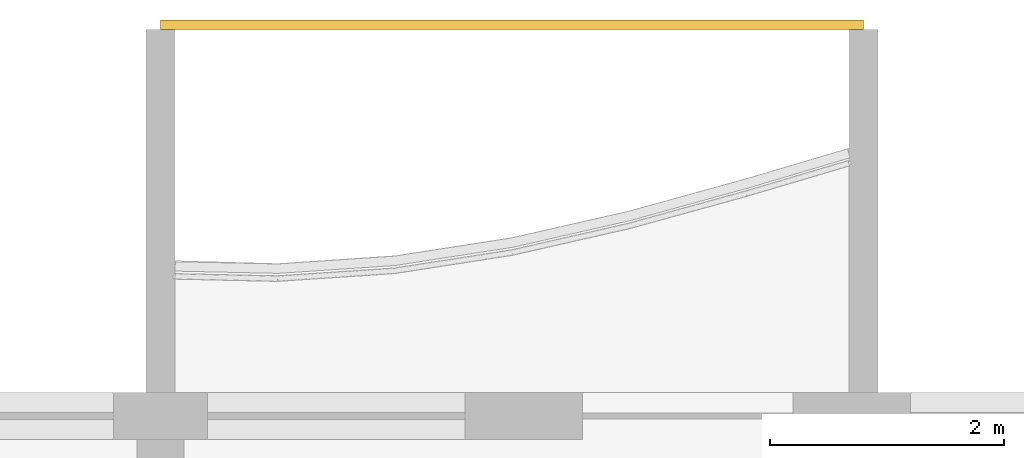
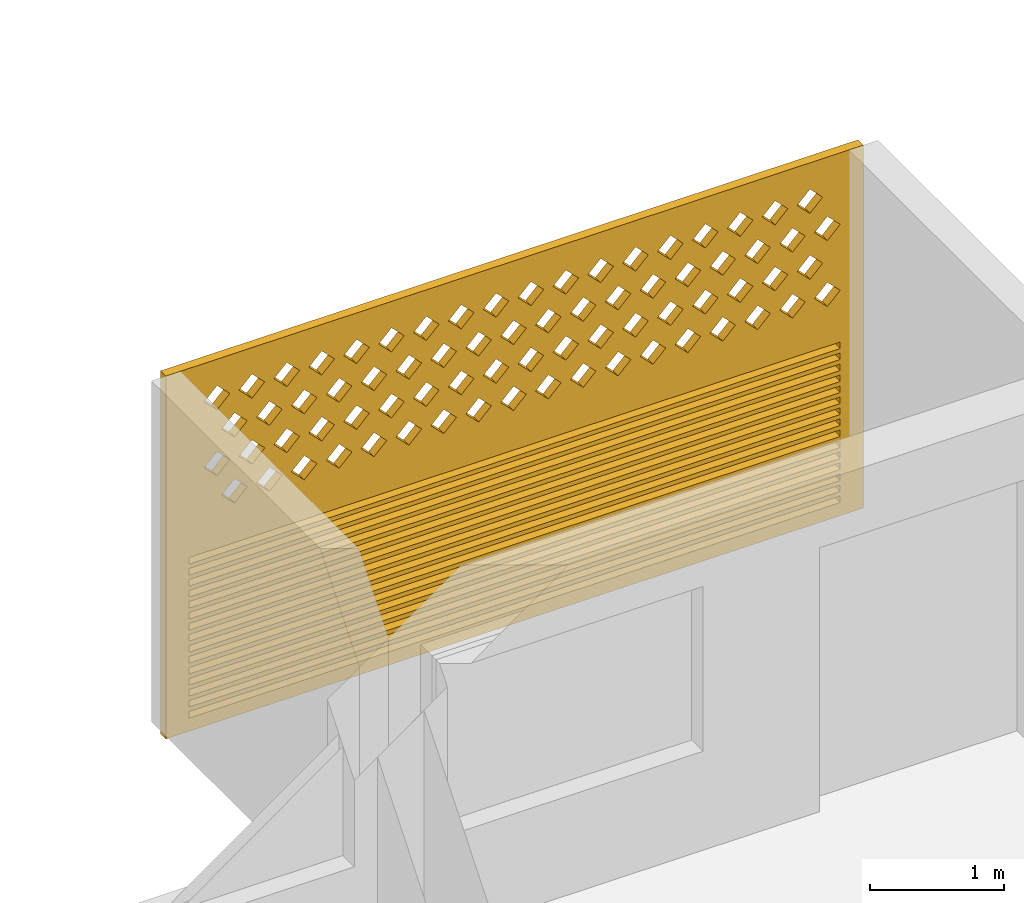
# One storey, part 27 of 38: 1 covering.
"""IFC4 building model written with IfcOpenShell, lengths in metres."""

from ifc_helpers import new_model, si_unit, direction, frame, origin, place, context, subcontext, project, spatial, polyline, outline, extrude, source, transform, mapped, material, material_profile, profile_set, type_object, element, save


model = new_model("IFC4")

# Units and contexts
model_context = context("Model", 3, precision=1e-05, world=origin(), true_north=direction((0.0, 1.0)))
body_context = subcontext(model_context, "Body", "Model", "MODEL_VIEW")
ifc_project = project(units=[si_unit("LENGTHUNIT", "METRE"), si_unit("AREAUNIT", "SQUARE_METRE"), si_unit("VOLUMEUNIT", "CUBIC_METRE"), si_unit("PLANEANGLEUNIT", "RADIAN"), si_unit("MASSUNIT", "GRAM", prefix="KILO")], contexts=[model_context])

# Site, building, storey
site_placement = place(None, origin())
site = spatial("IfcSite", under=ifc_project, at=site_placement, CompositionType="ELEMENT")
building_placement = place(site_placement, origin())
building = spatial("IfcBuilding", under=site, at=building_placement, Name="Poui Terraces", CompositionType="ELEMENT")
storey_placement = place(building_placement, frame((0.0, 0.0, 49.800048828125)))
storey = spatial("IfcBuildingStorey", under=building, at=storey_placement, Name="L13", CompositionType="ELEMENT", Elevation=49.800048828125)

# Covering
ifc_material = material(Name="Terracotta screen", Category="masonry")
ifc_material_profile = material_profile(ifc_material, outline(polyline([(-3.0, -1.64990234375), (3.0, -1.64990234375), (3.0, 1.64990234375), (-3.0, 1.64990234375), (-3.0, -1.64990234375)]), holes=[polyline([(-2.800048828125, 0.39990234375), (-2.68994140625, 0.2900390625), (-2.580078125, 0.39990234375), (-2.68994140625, 0.510009765625), (-2.800048828125, 0.39990234375)]), polyline([(-2.5, 0.39990234375), (-2.389892578125, 0.2900390625), (-2.280029296875, 0.39990234375), (-2.389892578125, 0.510009765625), (-2.5, 0.39990234375)]), polyline([(-2.199951171875, 0.39990234375), (-2.090087890625, 0.2900390625), (-1.97998046875, 0.39990234375), (-2.090087890625, 0.510009765625), (-2.199951171875, 0.39990234375)]), polyline([(-1.89990234375, 0.39990234375), (-1.7900390625, 0.2900390625), (-1.679931640625, 0.39990234375), (-1.7900390625, 0.510009765625), (-1.89990234375, 0.39990234375)]), polyline([(-1.60009765625, 0.39990234375), (-1.489990234375, 0.2900390625), (-1.3798828125, 0.39990234375), (-1.489990234375, 0.510009765625), (-1.60009765625, 0.39990234375)]), polyline([(-1.300048828125, 0.39990234375), (-1.18994140625, 0.2900390625), (-1.080078125, 0.39990234375), (-1.18994140625, 0.510009765625), (-1.300048828125, 0.39990234375)]), polyline([(-1.0, 0.39990234375), (-0.889892578125, 0.2900390625), (-0.780029296875, 0.39990234375), (-0.889892578125, 0.510009765625), (-1.0, 0.39990234375)]), polyline([(-0.699951171875, 0.39990234375), (-0.590087890625, 0.2900390625), (-0.47998046875, 0.39990234375), (-0.590087890625, 0.510009765625), (-0.699951171875, 0.39990234375)]), polyline([(-0.39990234375, 0.39990234375), (-0.2900390625, 0.2900390625), (-0.179931640625, 0.39990234375), (-0.2900390625, 0.510009765625), (-0.39990234375, 0.39990234375)]), polyline([(-0.10009765625, 0.39990234375), (0.010009765625, 0.2900390625), (0.1201171875, 0.39990234375), (0.010009765625, 0.510009765625), (-0.10009765625, 0.39990234375)]), polyline([(0.199951171875, 0.39990234375), (0.31005859375, 0.2900390625), (0.419921875, 0.39990234375), (0.31005859375, 0.510009765625), (0.199951171875, 0.39990234375)]), polyline([(0.5, 0.39990234375), (0.610107421875, 0.2900390625), (0.719970703125, 0.39990234375), (0.610107421875, 0.510009765625), (0.5, 0.39990234375)]), polyline([(0.800048828125, 0.39990234375), (0.909912109375, 0.2900390625), (1.02001953125, 0.39990234375), (0.909912109375, 0.510009765625), (0.800048828125, 0.39990234375)]), polyline([(1.10009765625, 0.39990234375), (1.2099609375, 0.2900390625), (1.320068359375, 0.39990234375), (1.2099609375, 0.510009765625), (1.10009765625, 0.39990234375)]), polyline([(1.39990234375, 0.39990234375), (1.510009765625, 0.2900390625), (1.6201171875, 0.39990234375), (1.510009765625, 0.510009765625), (1.39990234375, 0.39990234375)]), polyline([(1.699951171875, 0.39990234375), (1.81005859375, 0.2900390625), (1.919921875, 0.39990234375), (1.81005859375, 0.510009765625), (1.699951171875, 0.39990234375)]), polyline([(2.0, 0.39990234375), (2.110107421875, 0.2900390625), (2.219970703125, 0.39990234375), (2.110107421875, 0.510009765625), (2.0, 0.39990234375)]), polyline([(2.300048828125, 0.39990234375), (2.409912109375, 0.2900390625), (2.52001953125, 0.39990234375), (2.409912109375, 0.510009765625), (2.300048828125, 0.39990234375)]), polyline([(-2.64990234375, 0.699951171875), (-2.5400390625, 0.590087890625), (-2.429931640625, 0.699951171875), (-2.5400390625, 0.81005859375), (-2.64990234375, 0.699951171875)]), polyline([(-2.35009765625, 0.699951171875), (-2.239990234375, 0.590087890625), (-2.1298828125, 0.699951171875), (-2.239990234375, 0.81005859375), (-2.35009765625, 0.699951171875)]), polyline([(-2.050048828125, 0.699951171875), (-1.93994140625, 0.590087890625), (-1.830078125, 0.699951171875), (-1.93994140625, 0.81005859375), (-2.050048828125, 0.699951171875)]), polyline([(-1.75, 0.699951171875), (-1.639892578125, 0.590087890625), (-1.530029296875, 0.699951171875), (-1.639892578125, 0.81005859375), (-1.75, 0.699951171875)]), polyline([(-1.449951171875, 0.699951171875), (-1.340087890625, 0.590087890625), (-1.22998046875, 0.699951171875), (-1.340087890625, 0.81005859375), (-1.449951171875, 0.699951171875)]), polyline([(-1.14990234375, 0.699951171875), (-1.0400390625, 0.590087890625), (-0.929931640625, 0.699951171875), (-1.0400390625, 0.81005859375), (-1.14990234375, 0.699951171875)]), polyline([(-0.85009765625, 0.699951171875), (-0.739990234375, 0.590087890625), (-0.6298828125, 0.699951171875), (-0.739990234375, 0.81005859375), (-0.85009765625, 0.699951171875)]), polyline([(-0.550048828125, 0.699951171875), (-0.43994140625, 0.590087890625), (-0.330078125, 0.699951171875), (-0.43994140625, 0.81005859375), (-0.550048828125, 0.699951171875)]), polyline([(-0.25, 0.699951171875), (-0.139892578125, 0.590087890625), (-0.030029296875, 0.699951171875), (-0.139892578125, 0.81005859375), (-0.25, 0.699951171875)]), polyline([(0.050048828125, 0.699951171875), (0.159912109375, 0.590087890625), (0.27001953125, 0.699951171875), (0.159912109375, 0.81005859375), (0.050048828125, 0.699951171875)]), polyline([(0.35009765625, 0.699951171875), (0.4599609375, 0.590087890625), (0.570068359375, 0.699951171875), (0.4599609375, 0.81005859375), (0.35009765625, 0.699951171875)]), polyline([(0.64990234375, 0.699951171875), (0.760009765625, 0.590087890625), (0.8701171875, 0.699951171875), (0.760009765625, 0.81005859375), (0.64990234375, 0.699951171875)]), polyline([(0.949951171875, 0.699951171875), (1.06005859375, 0.590087890625), (1.169921875, 0.699951171875), (1.06005859375, 0.81005859375), (0.949951171875, 0.699951171875)]), polyline([(1.25, 0.699951171875), (1.360107421875, 0.590087890625), (1.469970703125, 0.699951171875), (1.360107421875, 0.81005859375), (1.25, 0.699951171875)]), polyline([(1.550048828125, 0.699951171875), (1.659912109375, 0.590087890625), (1.77001953125, 0.699951171875), (1.659912109375, 0.81005859375), (1.550048828125, 0.699951171875)]), polyline([(1.85009765625, 0.699951171875), (1.9599609375, 0.590087890625), (2.070068359375, 0.699951171875), (1.9599609375, 0.81005859375), (1.85009765625, 0.699951171875)]), polyline([(2.14990234375, 0.699951171875), (2.260009765625, 0.590087890625), (2.3701171875, 0.699951171875), (2.260009765625, 0.81005859375), (2.14990234375, 0.699951171875)]), polyline([(2.449951171875, 0.699951171875), (2.56005859375, 0.590087890625), (2.669921875, 0.699951171875), (2.56005859375, 0.81005859375), (2.449951171875, 0.699951171875)]), polyline([(-2.800048828125, 1.0), (-2.68994140625, 0.889892578125), (-2.580078125, 1.0), (-2.68994140625, 1.110107421875), (-2.800048828125, 1.0)]), polyline([(-2.5, 1.0), (-2.389892578125, 0.889892578125), (-2.280029296875, 1.0), (-2.389892578125, 1.110107421875), (-2.5, 1.0)]), polyline([(-2.199951171875, 1.0), (-2.090087890625, 0.889892578125), (-1.97998046875, 1.0), (-2.090087890625, 1.110107421875), (-2.199951171875, 1.0)]), polyline([(-1.89990234375, 1.0), (-1.7900390625, 0.889892578125), (-1.679931640625, 1.0), (-1.7900390625, 1.110107421875), (-1.89990234375, 1.0)]), polyline([(-1.60009765625, 1.0), (-1.489990234375, 0.889892578125), (-1.3798828125, 1.0), (-1.489990234375, 1.110107421875), (-1.60009765625, 1.0)]), polyline([(-1.300048828125, 1.0), (-1.18994140625, 0.889892578125), (-1.080078125, 1.0), (-1.18994140625, 1.110107421875), (-1.300048828125, 1.0)]), polyline([(-1.0, 1.0), (-0.889892578125, 0.889892578125), (-0.780029296875, 1.0), (-0.889892578125, 1.110107421875), (-1.0, 1.0)]), polyline([(-0.699951171875, 1.0), (-0.590087890625, 0.889892578125), (-0.47998046875, 1.0), (-0.590087890625, 1.110107421875), (-0.699951171875, 1.0)]), polyline([(-0.39990234375, 1.0), (-0.2900390625, 0.889892578125), (-0.179931640625, 1.0), (-0.2900390625, 1.110107421875), (-0.39990234375, 1.0)]), polyline([(-0.10009765625, 1.0), (0.010009765625, 0.889892578125), (0.1201171875, 1.0), (0.010009765625, 1.110107421875), (-0.10009765625, 1.0)]), polyline([(0.199951171875, 1.0), (0.31005859375, 0.889892578125), (0.419921875, 1.0), (0.31005859375, 1.110107421875), (0.199951171875, 1.0)]), polyline([(0.5, 1.0), (0.610107421875, 0.889892578125), (0.719970703125, 1.0), (0.610107421875, 1.110107421875), (0.5, 1.0)]), polyline([(0.800048828125, 1.0), (0.909912109375, 0.889892578125), (1.02001953125, 1.0), (0.909912109375, 1.110107421875), (0.800048828125, 1.0)]), polyline([(1.10009765625, 1.0), (1.2099609375, 0.889892578125), (1.320068359375, 1.0), (1.2099609375, 1.110107421875), (1.10009765625, 1.0)]), polyline([(1.39990234375, 1.0), (1.510009765625, 0.889892578125), (1.6201171875, 1.0), (1.510009765625, 1.110107421875), (1.39990234375, 1.0)]), polyline([(1.699951171875, 1.0), (1.81005859375, 0.889892578125), (1.919921875, 1.0), (1.81005859375, 1.110107421875), (1.699951171875, 1.0)]), polyline([(2.0, 1.0), (2.110107421875, 0.889892578125), (2.219970703125, 1.0), (2.110107421875, 1.110107421875), (2.0, 1.0)]), polyline([(2.300048828125, 1.0), (2.409912109375, 0.889892578125), (2.52001953125, 1.0), (2.409912109375, 1.110107421875), (2.300048828125, 1.0)]), polyline([(-2.64990234375, 1.300048828125), (-2.5400390625, 1.18994140625), (-2.429931640625, 1.300048828125), (-2.5400390625, 1.409912109375), (-2.64990234375, 1.300048828125)]), polyline([(-2.35009765625, 1.300048828125), (-2.239990234375, 1.18994140625), (-2.1298828125, 1.300048828125), (-2.239990234375, 1.409912109375), (-2.35009765625, 1.300048828125)]), polyline([(-2.050048828125, 1.300048828125), (-1.93994140625, 1.18994140625), (-1.830078125, 1.300048828125), (-1.93994140625, 1.409912109375), (-2.050048828125, 1.300048828125)]), polyline([(-1.75, 1.300048828125), (-1.639892578125, 1.18994140625), (-1.530029296875, 1.300048828125), (-1.639892578125, 1.409912109375), (-1.75, 1.300048828125)]), polyline([(-1.449951171875, 1.300048828125), (-1.340087890625, 1.18994140625), (-1.22998046875, 1.300048828125), (-1.340087890625, 1.409912109375), (-1.449951171875, 1.300048828125)]), polyline([(-1.14990234375, 1.300048828125), (-1.0400390625, 1.18994140625), (-0.929931640625, 1.300048828125), (-1.0400390625, 1.409912109375), (-1.14990234375, 1.300048828125)]), polyline([(-0.85009765625, 1.300048828125), (-0.739990234375, 1.18994140625), (-0.6298828125, 1.300048828125), (-0.739990234375, 1.409912109375), (-0.85009765625, 1.300048828125)]), polyline([(-0.550048828125, 1.300048828125), (-0.43994140625, 1.18994140625), (-0.330078125, 1.300048828125), (-0.43994140625, 1.409912109375), (-0.550048828125, 1.300048828125)]), polyline([(-0.25, 1.300048828125), (-0.139892578125, 1.18994140625), (-0.030029296875, 1.300048828125), (-0.139892578125, 1.409912109375), (-0.25, 1.300048828125)]), polyline([(0.050048828125, 1.300048828125), (0.159912109375, 1.18994140625), (0.27001953125, 1.300048828125), (0.159912109375, 1.409912109375), (0.050048828125, 1.300048828125)]), polyline([(0.35009765625, 1.300048828125), (0.4599609375, 1.18994140625), (0.570068359375, 1.300048828125), (0.4599609375, 1.409912109375), (0.35009765625, 1.300048828125)]), polyline([(0.64990234375, 1.300048828125), (0.760009765625, 1.18994140625), (0.8701171875, 1.300048828125), (0.760009765625, 1.409912109375), (0.64990234375, 1.300048828125)]), polyline([(0.949951171875, 1.300048828125), (1.06005859375, 1.18994140625), (1.169921875, 1.300048828125), (1.06005859375, 1.409912109375), (0.949951171875, 1.300048828125)]), polyline([(1.25, 1.300048828125), (1.360107421875, 1.18994140625), (1.469970703125, 1.300048828125), (1.360107421875, 1.409912109375), (1.25, 1.300048828125)]), polyline([(1.550048828125, 1.300048828125), (1.659912109375, 1.18994140625), (1.77001953125, 1.300048828125), (1.659912109375, 1.409912109375), (1.550048828125, 1.300048828125)]), polyline([(1.85009765625, 1.300048828125), (1.9599609375, 1.18994140625), (2.070068359375, 1.300048828125), (1.9599609375, 1.409912109375), (1.85009765625, 1.300048828125)]), polyline([(2.14990234375, 1.300048828125), (2.260009765625, 1.18994140625), (2.3701171875, 1.300048828125), (2.260009765625, 1.409912109375), (2.14990234375, 1.300048828125)]), polyline([(2.449951171875, 1.300048828125), (2.56005859375, 1.18994140625), (2.669921875, 1.300048828125), (2.56005859375, 1.409912109375), (2.449951171875, 1.300048828125)]), polyline([(-2.800048828125, -1.530029296875), (2.800048828125, -1.530029296875), (2.800048828125, -1.469970703125), (-2.800048828125, -1.469970703125), (-2.800048828125, -1.530029296875)]), polyline([(-2.800048828125, -1.429931640625), (2.800048828125, -1.429931640625), (2.800048828125, -1.3701171875), (-2.800048828125, -1.3701171875), (-2.800048828125, -1.429931640625)]), polyline([(-2.800048828125, -1.330078125), (2.800048828125, -1.330078125), (2.800048828125, -1.27001953125), (-2.800048828125, -1.27001953125), (-2.800048828125, -1.330078125)]), polyline([(-2.800048828125, -1.22998046875), (2.800048828125, -1.22998046875), (2.800048828125, -1.169921875), (-2.800048828125, -1.169921875), (-2.800048828125, -1.22998046875)]), polyline([(-2.800048828125, -1.1298828125), (2.800048828125, -1.1298828125), (2.800048828125, -1.070068359375), (-2.800048828125, -1.070068359375), (-2.800048828125, -1.1298828125)]), polyline([(-2.800048828125, -1.030029296875), (2.800048828125, -1.030029296875), (2.800048828125, -0.969970703125), (-2.800048828125, -0.969970703125), (-2.800048828125, -1.030029296875)]), polyline([(-2.800048828125, -0.929931640625), (2.800048828125, -0.929931640625), (2.800048828125, -0.8701171875), (-2.800048828125, -0.8701171875), (-2.800048828125, -0.929931640625)]), polyline([(-2.800048828125, -0.830078125), (2.800048828125, -0.830078125), (2.800048828125, -0.77001953125), (-2.800048828125, -0.77001953125), (-2.800048828125, -0.830078125)]), polyline([(-2.800048828125, -0.72998046875), (2.800048828125, -0.72998046875), (2.800048828125, -0.669921875), (-2.800048828125, -0.669921875), (-2.800048828125, -0.72998046875)]), polyline([(-2.800048828125, -0.6298828125), (2.800048828125, -0.6298828125), (2.800048828125, -0.570068359375), (-2.800048828125, -0.570068359375), (-2.800048828125, -0.6298828125)]), polyline([(-2.800048828125, -0.530029296875), (2.800048828125, -0.530029296875), (2.800048828125, -0.469970703125), (-2.800048828125, -0.469970703125), (-2.800048828125, -0.530029296875)]), polyline([(-2.800048828125, -0.429931640625), (2.800048828125, -0.429931640625), (2.800048828125, -0.3701171875), (-2.800048828125, -0.3701171875), (-2.800048828125, -0.429931640625)]), polyline([(-2.800048828125, -0.330078125), (2.800048828125, -0.330078125), (2.800048828125, -0.27001953125), (-2.800048828125, -0.27001953125), (-2.800048828125, -0.330078125)]), polyline([(-2.800048828125, -0.22998046875), (2.800048828125, -0.22998046875), (2.800048828125, -0.169921875), (-2.800048828125, -0.169921875), (-2.800048828125, -0.22998046875)]), polyline([(-2.800048828125, -0.1298828125), (2.800048828125, -0.1298828125), (2.800048828125, -0.070068359375), (-2.800048828125, -0.070068359375), (-2.800048828125, -0.1298828125)])]), Name="TERRACOTTA SCREEN AND JALOUSIE LOUVRE 6000X3300")
ifc_profile_set = profile_set([ifc_material_profile], Name="Terracotta screen")
covering_type = type_object("IfcCoveringType", Name="TERRACOTTA SCREEN AND JALOUSIE LOUVRE 6000X3300", PredefinedType="CLADDING", material=ifc_profile_set)
shared_shape = source(origin(), body_context, "Body", "SweptSolid", [
    extrude(outline(polyline([(-3.0, -1.64990234375), (3.0, -1.64990234375), (3.0, 1.64990234375), (-3.0, 1.64990234375), (-3.0, -1.64990234375)]), holes=[polyline([(-2.800048828125, 0.39990234375), (-2.68994140625, 0.2900390625), (-2.580078125, 0.39990234375), (-2.68994140625, 0.510009765625), (-2.800048828125, 0.39990234375)]), polyline([(-2.5, 0.39990234375), (-2.389892578125, 0.2900390625), (-2.280029296875, 0.39990234375), (-2.389892578125, 0.510009765625), (-2.5, 0.39990234375)]), polyline([(-2.199951171875, 0.39990234375), (-2.090087890625, 0.2900390625), (-1.97998046875, 0.39990234375), (-2.090087890625, 0.510009765625), (-2.199951171875, 0.39990234375)]), polyline([(-1.89990234375, 0.39990234375), (-1.7900390625, 0.2900390625), (-1.679931640625, 0.39990234375), (-1.7900390625, 0.510009765625), (-1.89990234375, 0.39990234375)]), polyline([(-1.60009765625, 0.39990234375), (-1.489990234375, 0.2900390625), (-1.3798828125, 0.39990234375), (-1.489990234375, 0.510009765625), (-1.60009765625, 0.39990234375)]), polyline([(-1.300048828125, 0.39990234375), (-1.18994140625, 0.2900390625), (-1.080078125, 0.39990234375), (-1.18994140625, 0.510009765625), (-1.300048828125, 0.39990234375)]), polyline([(-1.0, 0.39990234375), (-0.889892578125, 0.2900390625), (-0.780029296875, 0.39990234375), (-0.889892578125, 0.510009765625), (-1.0, 0.39990234375)]), polyline([(-0.699951171875, 0.39990234375), (-0.590087890625, 0.2900390625), (-0.47998046875, 0.39990234375), (-0.590087890625, 0.510009765625), (-0.699951171875, 0.39990234375)]), polyline([(-0.39990234375, 0.39990234375), (-0.2900390625, 0.2900390625), (-0.179931640625, 0.39990234375), (-0.2900390625, 0.510009765625), (-0.39990234375, 0.39990234375)]), polyline([(-0.10009765625, 0.39990234375), (0.010009765625, 0.2900390625), (0.1201171875, 0.39990234375), (0.010009765625, 0.510009765625), (-0.10009765625, 0.39990234375)]), polyline([(0.199951171875, 0.39990234375), (0.31005859375, 0.2900390625), (0.419921875, 0.39990234375), (0.31005859375, 0.510009765625), (0.199951171875, 0.39990234375)]), polyline([(0.5, 0.39990234375), (0.610107421875, 0.2900390625), (0.719970703125, 0.39990234375), (0.610107421875, 0.510009765625), (0.5, 0.39990234375)]), polyline([(0.800048828125, 0.39990234375), (0.909912109375, 0.2900390625), (1.02001953125, 0.39990234375), (0.909912109375, 0.510009765625), (0.800048828125, 0.39990234375)]), polyline([(1.10009765625, 0.39990234375), (1.2099609375, 0.2900390625), (1.320068359375, 0.39990234375), (1.2099609375, 0.510009765625), (1.10009765625, 0.39990234375)]), polyline([(1.39990234375, 0.39990234375), (1.510009765625, 0.2900390625), (1.6201171875, 0.39990234375), (1.510009765625, 0.510009765625), (1.39990234375, 0.39990234375)]), polyline([(1.699951171875, 0.39990234375), (1.81005859375, 0.2900390625), (1.919921875, 0.39990234375), (1.81005859375, 0.510009765625), (1.699951171875, 0.39990234375)]), polyline([(2.0, 0.39990234375), (2.110107421875, 0.2900390625), (2.219970703125, 0.39990234375), (2.110107421875, 0.510009765625), (2.0, 0.39990234375)]), polyline([(2.300048828125, 0.39990234375), (2.409912109375, 0.2900390625), (2.52001953125, 0.39990234375), (2.409912109375, 0.510009765625), (2.300048828125, 0.39990234375)]), polyline([(-2.64990234375, 0.699951171875), (-2.5400390625, 0.590087890625), (-2.429931640625, 0.699951171875), (-2.5400390625, 0.81005859375), (-2.64990234375, 0.699951171875)]), polyline([(-2.35009765625, 0.699951171875), (-2.239990234375, 0.590087890625), (-2.1298828125, 0.699951171875), (-2.239990234375, 0.81005859375), (-2.35009765625, 0.699951171875)]), polyline([(-2.050048828125, 0.699951171875), (-1.93994140625, 0.590087890625), (-1.830078125, 0.699951171875), (-1.93994140625, 0.81005859375), (-2.050048828125, 0.699951171875)]), polyline([(-1.75, 0.699951171875), (-1.639892578125, 0.590087890625), (-1.530029296875, 0.699951171875), (-1.639892578125, 0.81005859375), (-1.75, 0.699951171875)]), polyline([(-1.449951171875, 0.699951171875), (-1.340087890625, 0.590087890625), (-1.22998046875, 0.699951171875), (-1.340087890625, 0.81005859375), (-1.449951171875, 0.699951171875)]), polyline([(-1.14990234375, 0.699951171875), (-1.0400390625, 0.590087890625), (-0.929931640625, 0.699951171875), (-1.0400390625, 0.81005859375), (-1.14990234375, 0.699951171875)]), polyline([(-0.85009765625, 0.699951171875), (-0.739990234375, 0.590087890625), (-0.6298828125, 0.699951171875), (-0.739990234375, 0.81005859375), (-0.85009765625, 0.699951171875)]), polyline([(-0.550048828125, 0.699951171875), (-0.43994140625, 0.590087890625), (-0.330078125, 0.699951171875), (-0.43994140625, 0.81005859375), (-0.550048828125, 0.699951171875)]), polyline([(-0.25, 0.699951171875), (-0.139892578125, 0.590087890625), (-0.030029296875, 0.699951171875), (-0.139892578125, 0.81005859375), (-0.25, 0.699951171875)]), polyline([(0.050048828125, 0.699951171875), (0.159912109375, 0.590087890625), (0.27001953125, 0.699951171875), (0.159912109375, 0.81005859375), (0.050048828125, 0.699951171875)]), polyline([(0.35009765625, 0.699951171875), (0.4599609375, 0.590087890625), (0.570068359375, 0.699951171875), (0.4599609375, 0.81005859375), (0.35009765625, 0.699951171875)]), polyline([(0.64990234375, 0.699951171875), (0.760009765625, 0.590087890625), (0.8701171875, 0.699951171875), (0.760009765625, 0.81005859375), (0.64990234375, 0.699951171875)]), polyline([(0.949951171875, 0.699951171875), (1.06005859375, 0.590087890625), (1.169921875, 0.699951171875), (1.06005859375, 0.81005859375), (0.949951171875, 0.699951171875)]), polyline([(1.25, 0.699951171875), (1.360107421875, 0.590087890625), (1.469970703125, 0.699951171875), (1.360107421875, 0.81005859375), (1.25, 0.699951171875)]), polyline([(1.550048828125, 0.699951171875), (1.659912109375, 0.590087890625), (1.77001953125, 0.699951171875), (1.659912109375, 0.81005859375), (1.550048828125, 0.699951171875)]), polyline([(1.85009765625, 0.699951171875), (1.9599609375, 0.590087890625), (2.070068359375, 0.699951171875), (1.9599609375, 0.81005859375), (1.85009765625, 0.699951171875)]), polyline([(2.14990234375, 0.699951171875), (2.260009765625, 0.590087890625), (2.3701171875, 0.699951171875), (2.260009765625, 0.81005859375), (2.14990234375, 0.699951171875)]), polyline([(2.449951171875, 0.699951171875), (2.56005859375, 0.590087890625), (2.669921875, 0.699951171875), (2.56005859375, 0.81005859375), (2.449951171875, 0.699951171875)]), polyline([(-2.800048828125, 1.0), (-2.68994140625, 0.889892578125), (-2.580078125, 1.0), (-2.68994140625, 1.110107421875), (-2.800048828125, 1.0)]), polyline([(-2.5, 1.0), (-2.389892578125, 0.889892578125), (-2.280029296875, 1.0), (-2.389892578125, 1.110107421875), (-2.5, 1.0)]), polyline([(-2.199951171875, 1.0), (-2.090087890625, 0.889892578125), (-1.97998046875, 1.0), (-2.090087890625, 1.110107421875), (-2.199951171875, 1.0)]), polyline([(-1.89990234375, 1.0), (-1.7900390625, 0.889892578125), (-1.679931640625, 1.0), (-1.7900390625, 1.110107421875), (-1.89990234375, 1.0)]), polyline([(-1.60009765625, 1.0), (-1.489990234375, 0.889892578125), (-1.3798828125, 1.0), (-1.489990234375, 1.110107421875), (-1.60009765625, 1.0)]), polyline([(-1.300048828125, 1.0), (-1.18994140625, 0.889892578125), (-1.080078125, 1.0), (-1.18994140625, 1.110107421875), (-1.300048828125, 1.0)]), polyline([(-1.0, 1.0), (-0.889892578125, 0.889892578125), (-0.780029296875, 1.0), (-0.889892578125, 1.110107421875), (-1.0, 1.0)]), polyline([(-0.699951171875, 1.0), (-0.590087890625, 0.889892578125), (-0.47998046875, 1.0), (-0.590087890625, 1.110107421875), (-0.699951171875, 1.0)]), polyline([(-0.39990234375, 1.0), (-0.2900390625, 0.889892578125), (-0.179931640625, 1.0), (-0.2900390625, 1.110107421875), (-0.39990234375, 1.0)]), polyline([(-0.10009765625, 1.0), (0.010009765625, 0.889892578125), (0.1201171875, 1.0), (0.010009765625, 1.110107421875), (-0.10009765625, 1.0)]), polyline([(0.199951171875, 1.0), (0.31005859375, 0.889892578125), (0.419921875, 1.0), (0.31005859375, 1.110107421875), (0.199951171875, 1.0)]), polyline([(0.5, 1.0), (0.610107421875, 0.889892578125), (0.719970703125, 1.0), (0.610107421875, 1.110107421875), (0.5, 1.0)]), polyline([(0.800048828125, 1.0), (0.909912109375, 0.889892578125), (1.02001953125, 1.0), (0.909912109375, 1.110107421875), (0.800048828125, 1.0)]), polyline([(1.10009765625, 1.0), (1.2099609375, 0.889892578125), (1.320068359375, 1.0), (1.2099609375, 1.110107421875), (1.10009765625, 1.0)]), polyline([(1.39990234375, 1.0), (1.510009765625, 0.889892578125), (1.6201171875, 1.0), (1.510009765625, 1.110107421875), (1.39990234375, 1.0)]), polyline([(1.699951171875, 1.0), (1.81005859375, 0.889892578125), (1.919921875, 1.0), (1.81005859375, 1.110107421875), (1.699951171875, 1.0)]), polyline([(2.0, 1.0), (2.110107421875, 0.889892578125), (2.219970703125, 1.0), (2.110107421875, 1.110107421875), (2.0, 1.0)]), polyline([(2.300048828125, 1.0), (2.409912109375, 0.889892578125), (2.52001953125, 1.0), (2.409912109375, 1.110107421875), (2.300048828125, 1.0)]), polyline([(-2.64990234375, 1.300048828125), (-2.5400390625, 1.18994140625), (-2.429931640625, 1.300048828125), (-2.5400390625, 1.409912109375), (-2.64990234375, 1.300048828125)]), polyline([(-2.35009765625, 1.300048828125), (-2.239990234375, 1.18994140625), (-2.1298828125, 1.300048828125), (-2.239990234375, 1.409912109375), (-2.35009765625, 1.300048828125)]), polyline([(-2.050048828125, 1.300048828125), (-1.93994140625, 1.18994140625), (-1.830078125, 1.300048828125), (-1.93994140625, 1.409912109375), (-2.050048828125, 1.300048828125)]), polyline([(-1.75, 1.300048828125), (-1.639892578125, 1.18994140625), (-1.530029296875, 1.300048828125), (-1.639892578125, 1.409912109375), (-1.75, 1.300048828125)]), polyline([(-1.449951171875, 1.300048828125), (-1.340087890625, 1.18994140625), (-1.22998046875, 1.300048828125), (-1.340087890625, 1.409912109375), (-1.449951171875, 1.300048828125)]), polyline([(-1.14990234375, 1.300048828125), (-1.0400390625, 1.18994140625), (-0.929931640625, 1.300048828125), (-1.0400390625, 1.409912109375), (-1.14990234375, 1.300048828125)]), polyline([(-0.85009765625, 1.300048828125), (-0.739990234375, 1.18994140625), (-0.6298828125, 1.300048828125), (-0.739990234375, 1.409912109375), (-0.85009765625, 1.300048828125)]), polyline([(-0.550048828125, 1.300048828125), (-0.43994140625, 1.18994140625), (-0.330078125, 1.300048828125), (-0.43994140625, 1.409912109375), (-0.550048828125, 1.300048828125)]), polyline([(-0.25, 1.300048828125), (-0.139892578125, 1.18994140625), (-0.030029296875, 1.300048828125), (-0.139892578125, 1.409912109375), (-0.25, 1.300048828125)]), polyline([(0.050048828125, 1.300048828125), (0.159912109375, 1.18994140625), (0.27001953125, 1.300048828125), (0.159912109375, 1.409912109375), (0.050048828125, 1.300048828125)]), polyline([(0.35009765625, 1.300048828125), (0.4599609375, 1.18994140625), (0.570068359375, 1.300048828125), (0.4599609375, 1.409912109375), (0.35009765625, 1.300048828125)]), polyline([(0.64990234375, 1.300048828125), (0.760009765625, 1.18994140625), (0.8701171875, 1.300048828125), (0.760009765625, 1.409912109375), (0.64990234375, 1.300048828125)]), polyline([(0.949951171875, 1.300048828125), (1.06005859375, 1.18994140625), (1.169921875, 1.300048828125), (1.06005859375, 1.409912109375), (0.949951171875, 1.300048828125)]), polyline([(1.25, 1.300048828125), (1.360107421875, 1.18994140625), (1.469970703125, 1.300048828125), (1.360107421875, 1.409912109375), (1.25, 1.300048828125)]), polyline([(1.550048828125, 1.300048828125), (1.659912109375, 1.18994140625), (1.77001953125, 1.300048828125), (1.659912109375, 1.409912109375), (1.550048828125, 1.300048828125)]), polyline([(1.85009765625, 1.300048828125), (1.9599609375, 1.18994140625), (2.070068359375, 1.300048828125), (1.9599609375, 1.409912109375), (1.85009765625, 1.300048828125)]), polyline([(2.14990234375, 1.300048828125), (2.260009765625, 1.18994140625), (2.3701171875, 1.300048828125), (2.260009765625, 1.409912109375), (2.14990234375, 1.300048828125)]), polyline([(2.449951171875, 1.300048828125), (2.56005859375, 1.18994140625), (2.669921875, 1.300048828125), (2.56005859375, 1.409912109375), (2.449951171875, 1.300048828125)]), polyline([(-2.800048828125, -1.530029296875), (2.800048828125, -1.530029296875), (2.800048828125, -1.469970703125), (-2.800048828125, -1.469970703125), (-2.800048828125, -1.530029296875)]), polyline([(-2.800048828125, -1.429931640625), (2.800048828125, -1.429931640625), (2.800048828125, -1.3701171875), (-2.800048828125, -1.3701171875), (-2.800048828125, -1.429931640625)]), polyline([(-2.800048828125, -1.330078125), (2.800048828125, -1.330078125), (2.800048828125, -1.27001953125), (-2.800048828125, -1.27001953125), (-2.800048828125, -1.330078125)]), polyline([(-2.800048828125, -1.22998046875), (2.800048828125, -1.22998046875), (2.800048828125, -1.169921875), (-2.800048828125, -1.169921875), (-2.800048828125, -1.22998046875)]), polyline([(-2.800048828125, -1.1298828125), (2.800048828125, -1.1298828125), (2.800048828125, -1.070068359375), (-2.800048828125, -1.070068359375), (-2.800048828125, -1.1298828125)]), polyline([(-2.800048828125, -1.030029296875), (2.800048828125, -1.030029296875), (2.800048828125, -0.969970703125), (-2.800048828125, -0.969970703125), (-2.800048828125, -1.030029296875)]), polyline([(-2.800048828125, -0.929931640625), (2.800048828125, -0.929931640625), (2.800048828125, -0.8701171875), (-2.800048828125, -0.8701171875), (-2.800048828125, -0.929931640625)]), polyline([(-2.800048828125, -0.830078125), (2.800048828125, -0.830078125), (2.800048828125, -0.77001953125), (-2.800048828125, -0.77001953125), (-2.800048828125, -0.830078125)]), polyline([(-2.800048828125, -0.72998046875), (2.800048828125, -0.72998046875), (2.800048828125, -0.669921875), (-2.800048828125, -0.669921875), (-2.800048828125, -0.72998046875)]), polyline([(-2.800048828125, -0.6298828125), (2.800048828125, -0.6298828125), (2.800048828125, -0.570068359375), (-2.800048828125, -0.570068359375), (-2.800048828125, -0.6298828125)]), polyline([(-2.800048828125, -0.530029296875), (2.800048828125, -0.530029296875), (2.800048828125, -0.469970703125), (-2.800048828125, -0.469970703125), (-2.800048828125, -0.530029296875)]), polyline([(-2.800048828125, -0.429931640625), (2.800048828125, -0.429931640625), (2.800048828125, -0.3701171875), (-2.800048828125, -0.3701171875), (-2.800048828125, -0.429931640625)]), polyline([(-2.800048828125, -0.330078125), (2.800048828125, -0.330078125), (2.800048828125, -0.27001953125), (-2.800048828125, -0.27001953125), (-2.800048828125, -0.330078125)]), polyline([(-2.800048828125, -0.22998046875), (2.800048828125, -0.22998046875), (2.800048828125, -0.169921875), (-2.800048828125, -0.169921875), (-2.800048828125, -0.22998046875)]), polyline([(-2.800048828125, -0.1298828125), (2.800048828125, -0.1298828125), (2.800048828125, -0.070068359375), (-2.800048828125, -0.070068359375), (-2.800048828125, -0.1298828125)])]), origin(), (0.0, 0.0, 1.0), 0.079833984375),
])
covering_placement = place(storey_placement, frame((45.0, 48.10009765625, 1.449951171875), z_axis=(0.0, 1.0, 0.0), x_axis=(-1.0, 0.0, 0.0)))
element("IfcCovering", 1, at=covering_placement, inside=storey, type_object=covering_type, Name="SOLAR SCREEN AND JALOUSIE LOUVRE", PredefinedType="CLADDING", context=body_context, shape_type="MappedRepresentation", body=[
    mapped(shared_shape, transform((0.0, 0.0, 0.0))),
])

save(model, "model.ifc")
